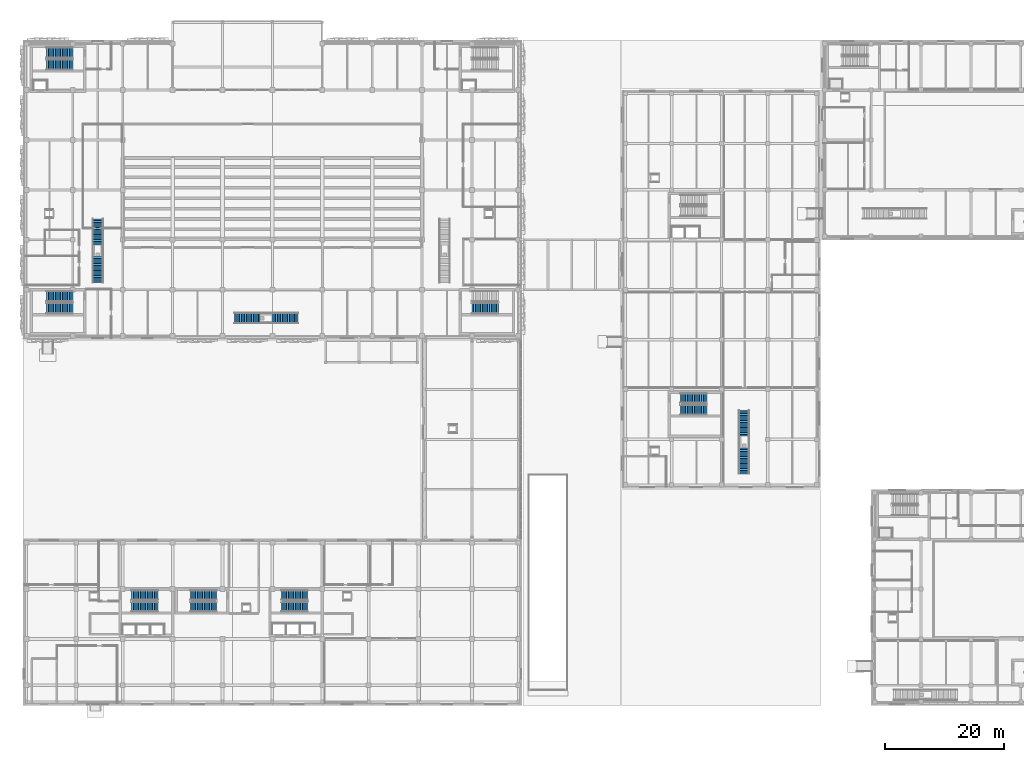
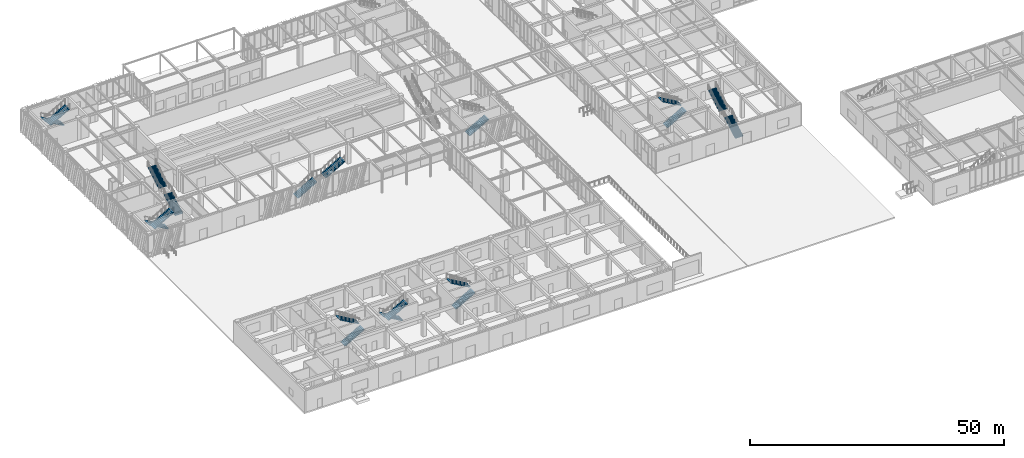
# One storey, part 104 of 122: 19 stair flights, 10 elements without a shape of their own.
"""IFC4 building model written with IfcOpenShell, lengths in metres."""

import ifcopenshell
import ifcopenshell.guid

model = None  # the IFC model being written
_history = None  # IfcOwnerHistory: only IFC2X3 demands one
_inside = {}  # id of a spatial element -> (the spatial element, [elements in it])
_under = {}  # id of a project, library or spatial element -> (it, [spatial elements below it])
_declared = {}  # id of a project -> (the project, [libraries it declares])
_typed = {}  # id of a type object -> (the type object, [elements of that type])
_made_of = {}  # id of a material, layer set ... -> (it, [elements and type objects made of it])


def new_model(schema):
    """Start an empty IFC model of exactly this schema.

    Asked for "IFC4X3", IfcOpenShell would pick the latest addendum, in which some entities
    have other attributes; the version numbers below select the first issue.
    IFC2X3 requires an IfcOwnerHistory on every rooted entity: one is made here for all.
    """
    global model, _history
    if schema == "IFC4X3":
        model = ifcopenshell.file(schema_version=(4, 3, 0, 0))
    else:
        model = ifcopenshell.file(schema=schema)
    _inside.clear()
    _under.clear()
    _declared.clear()
    _typed.clear()
    _made_of.clear()
    _history = None
    if model.schema == "IFC2X3":
        org = make("IfcOrganization", Name="unknown")
        user = make(
            "IfcPersonAndOrganization",
            ThePerson=make("IfcPerson", FamilyName="unknown"),
            TheOrganization=org,
        )
        app = make(
            "IfcApplication",
            ApplicationDeveloper=org,
            Version="unknown",
            ApplicationFullName="unknown",
            ApplicationIdentifier="unknown",
        )
        _history = make(
            "IfcOwnerHistory",
            OwningUser=user,
            OwningApplication=app,
            ChangeAction="ADDED",
            CreationDate=0,
        )
    return model


def make(cls, **values):
    """One entity of the class cls with the attributes given. An attribute that is None is left unset."""
    return model.create_entity(
        cls, **{name: value for name, value in values.items() if value is not None}
    )


def rooted(cls, **values):
    """An entity with a GlobalId (a new one), such as an element, a storey or a relation."""
    return make(cls, GlobalId=ifcopenshell.guid.new(), OwnerHistory=_history, **values)


def si_unit(unit_type, name, prefix=None):
    """IfcSIUnit, for example si_unit("LENGTHUNIT", "METRE", prefix="MILLI")."""
    return make("IfcSIUnit", UnitType=unit_type, Prefix=prefix, Name=name)


def assignment(units):
    """IfcUnitAssignment: the units of a project."""
    return None if units is None else make("IfcUnitAssignment", Units=units)


def point(xyz):
    """IfcCartesianPoint."""
    return None if xyz is None else make("IfcCartesianPoint", Coordinates=xyz)


def direction(xyz):
    """IfcDirection."""
    return None if xyz is None else make("IfcDirection", DirectionRatios=xyz)


def frame(location, z_axis=None, x_axis=None):
    """IfcAxis2Placement3D, a coordinate frame: its origin and axes. An axis left out is left unset."""
    return make(
        "IfcAxis2Placement3D",
        Location=point(location),
        Axis=direction(z_axis),
        RefDirection=direction(x_axis),
    )


def origin():
    """The frame at (0, 0, 0) with its axes left unset."""
    return frame((0.0, 0.0, 0.0))


def place(relative_to, where):
    """IfcLocalPlacement: puts the frame where relative to a parent placement (None: the world)."""
    return make(
        "IfcLocalPlacement", PlacementRelTo=relative_to, RelativePlacement=where
    )


def context(
    kind, dimensions, precision=None, world=None, true_north=None, identifier=None
):
    """IfcGeometricRepresentationContext, for example the 3D "Model" context."""
    return make(
        "IfcGeometricRepresentationContext",
        ContextIdentifier=identifier,
        ContextType=kind,
        CoordinateSpaceDimension=dimensions,
        Precision=precision,
        WorldCoordinateSystem=world,
        TrueNorth=true_north,
    )


def subcontext(parent, identifier, kind, view, scale=None):
    """IfcGeometricRepresentationSubContext, for example "Body" below "Model"."""
    return make(
        "IfcGeometricRepresentationSubContext",
        ContextIdentifier=identifier,
        ContextType=kind,
        ParentContext=parent,
        TargetScale=scale,
        TargetView=view,
    )


def project(units=None, contexts=None):
    """IfcProject with its units and contexts."""
    return rooted(
        "IfcProject",
        Name="project",
        RepresentationContexts=contexts,
        UnitsInContext=assignment(units),
    )


def spatial(cls, under=None, at=None, **own):
    """A site, building, storey or space (cls), placed at a placement, below another one or the project."""
    s = rooted(cls, ObjectPlacement=at, **own)
    if under is not None:
        _under.setdefault(under.id(), (under, []))[1].append(s)
    return s


def polyline(points):
    """IfcPolyline through the points."""
    return make("IfcPolyline", Points=[point(p) for p in points])


def outline(outer, holes=None, kind="AREA"):
    """IfcArbitraryClosedProfileDef: a profile drawn as a closed curve; with holes, ...WithVoids."""
    if holes is None:
        return make("IfcArbitraryClosedProfileDef", ProfileType=kind, OuterCurve=outer)
    return make(
        "IfcArbitraryProfileDefWithVoids",
        ProfileType=kind,
        OuterCurve=outer,
        InnerCurves=holes,
    )


def extrude(swept, where, along, depth):
    """IfcExtrudedAreaSolid: the profile swept, set in the frame where, extruded along a direction by depth."""
    return make(
        "IfcExtrudedAreaSolid",
        SweptArea=swept,
        Position=where,
        ExtrudedDirection=direction(along),
        Depth=depth,
    )


def shape(context_of_items, identifier, shape_type, items):
    """IfcShapeRepresentation: the items that make up one representation, for example the "Body"."""
    return make(
        "IfcShapeRepresentation",
        ContextOfItems=context_of_items,
        RepresentationIdentifier=identifier,
        RepresentationType=shape_type,
        Items=items,
    )


def material(Name=None, Category=None):
    """IfcMaterial."""
    return make("IfcMaterial", Name=Name, Category=Category)


def made_of(thing, what):
    """Note that an element or type object is made of a material, layer set ...; save() writes the relation."""
    if what is not None:
        _made_of.setdefault(what.id(), (what, []))[1].append(thing)
    return thing


def type_object(cls, material=None, **own):
    """A type object (cls), such as IfcWallType, which elements share."""
    return made_of(rooted(cls, **own), material)


def element(
    cls,
    number,
    at=None,
    inside=None,
    cuts=None,
    type_object=None,
    material=None,
    context=None,
    identifier="Body",
    shape_type=None,
    held_by="IfcProductDefinitionShape",
    body=None,
    shapes=None,
    **own,
):
    """One element of the class cls, such as IfcWall. Its Tag is "e" and its number.

    at: its placement. inside: the storey or other place that contains it. cuts: it is an
    opening in that element (IfcRelVoidsElement). A single representation is given by context,
    identifier, shape_type and body (its items); several are given by shapes. held_by: the class
    of the entity that holds the representations. save() writes the other relations.
    """
    e = rooted(cls, Tag="e%d" % number, ObjectPlacement=at, **own)
    if body is not None:
        shapes = [shape(context, identifier, shape_type, body)]
    if shapes is not None:
        e.Representation = make(held_by, Representations=shapes)
    if inside is not None:
        _inside.setdefault(inside.id(), (inside, []))[1].append(e)
    if cuts is not None:
        rooted(
            "IfcRelVoidsElement", RelatingBuildingElement=cuts, RelatedOpeningElement=e
        )
    if type_object is not None:
        _typed.setdefault(type_object.id(), (type_object, []))[1].append(e)
    return made_of(e, material)


def aggregate(whole, parts):
    """IfcRelAggregates: a whole, such as a stair, and the parts it consists of."""
    return rooted("IfcRelAggregates", RelatingObject=whole, RelatedObjects=parts)


def save(model, path):
    """Write the relations noted so far, then the file.

    IfcRelAggregates (storeys below a building ...), IfcRelContainedInSpatialStructure (elements
    in a storey), IfcRelDefinesByType, IfcRelAssociatesMaterial and IfcRelDeclares: one each for
    every whole, place, type object, material and project.
    """
    for whole, parts in _under.values():
        aggregate(whole, parts)
    for where, things in _inside.values():
        rooted(
            "IfcRelContainedInSpatialStructure",
            RelatedElements=things,
            RelatingStructure=where,
        )
    for kind, things in _typed.values():
        rooted("IfcRelDefinesByType", RelatedObjects=things, RelatingType=kind)
    for what, things in _made_of.values():
        rooted("IfcRelAssociatesMaterial", RelatedObjects=things, RelatingMaterial=what)
    for by, libraries in _declared.values():
        rooted("IfcRelDeclares", RelatingContext=by, RelatedDefinitions=libraries)
    model.write(path)


model = new_model("IFC4")

# Units and contexts
model_context = context("Model", 3, precision=1e-05, world=origin(), true_north=direction((0.0, 1.0)))
body_context = subcontext(model_context, "Body", "Model", "MODEL_VIEW")
ifc_project = project(units=[si_unit("LENGTHUNIT", "METRE"), si_unit("AREAUNIT", "SQUARE_METRE"), si_unit("VOLUMEUNIT", "CUBIC_METRE"), si_unit("PLANEANGLEUNIT", "RADIAN"), si_unit("MASSUNIT", "GRAM", prefix="KILO")], contexts=[model_context])

# Site, building, storey
site_placement = place(None, origin())
site = spatial("IfcSite", under=ifc_project, at=site_placement, CompositionType="ELEMENT")
building_placement = place(site_placement, origin())
building = spatial("IfcBuilding", under=site, at=building_placement, Name="Zayran Congress Hotel", CompositionType="ELEMENT")
storey_placement = place(building_placement, origin())
storey = spatial("IfcBuildingStorey", under=building, at=storey_placement, Name="L00", CompositionType="ELEMENT", Elevation=0.0)

# Stair, stair flights
ifc_material = material(Name="Concrete C32/40", Category="concrete")
stair_type_1 = type_object("IfcStairType", Name="TP-STR-1700-54", PredefinedType="USERDEFINED", material=ifc_material)
stair_1_placement = place(storey_placement, origin())
stair_1 = element("IfcStair", 1, at=stair_1_placement, inside=storey, type_object=stair_type_1, Name="L00 ST-01", ObjectType="TWO_RETURN_STAIR", PredefinedType="USERDEFINED")
stair_flight_type_1 = type_object("IfcStairFlightType", Name="TP-STF-1700-54", PredefinedType="STRAIGHT", material=ifc_material)
stair_flight_1_placement = place(storey_placement, frame((26.699951171875, 22.610107421875, 0.0), z_axis=(0.0, 0.0, 1.0), x_axis=(1.0, 0.0, 0.0)))
stair_flight_1 = element("IfcStairFlight", 2, at=stair_flight_1_placement, type_object=stair_flight_type_1, Name="ST-01 flight 1", NumberOfRisers=16, NumberOfTreads=15, PredefinedType="STRAIGHT", RiserHeight=0.16875, TreadLength=0.295, context=body_context, shape_type="SweptSolid", body=[
    extrude(outline(polyline([(0.0, 0.0), (0.0, 0.168701171875), (0.294921875, 0.168701171875), (0.294921875, 0.33740234375), (0.590087890625, 0.33740234375), (0.590087890625, 0.50634765625), (0.885009765625, 0.50634765625), (0.885009765625, 0.675048828125), (1.179931640625, 0.675048828125), (1.179931640625, 0.84375), (1.47509765625, 0.84375), (1.47509765625, 1.012451171875), (1.77001953125, 1.012451171875), (1.77001953125, 1.18115234375), (2.06494140625, 1.18115234375), (2.06494140625, 1.35009765625), (2.360107421875, 1.35009765625), (2.360107421875, 1.518798828125), (2.655029296875, 1.518798828125), (2.655029296875, 1.6875), (2.949951171875, 1.6875), (2.949951171875, 1.856201171875), (3.2451171875, 1.856201171875), (3.2451171875, 2.02490234375), (3.5400390625, 2.02490234375), (3.5400390625, 2.19384765625), (3.8349609375, 2.19384765625), (3.8349609375, 2.362548828125), (4.1298828125, 2.362548828125), (4.1298828125, 2.53125), (4.425048828125, 2.53125), (4.425048828125, 2.699951171875), (4.425048828125, 2.358642578125), (0.302001953125, 0.0), (0.0, 0.0)])), frame((0.0, 0.85009765625, 0.0), z_axis=(0.0, -1.0, 0.0), x_axis=(1.0, 0.0, 0.0)), (0.0, 0.0, 1.0), 1.699951171875),
])
stair_flight_2_placement = place(storey_placement, frame((31.125, 24.550048828125, 2.699951171875), z_axis=(0.0, 0.0, 1.0), x_axis=(-1.0, 0.0, 0.0)))
stair_flight_2 = element("IfcStairFlight", 3, at=stair_flight_2_placement, type_object=stair_flight_type_1, Name="ST-01 flight 2", NumberOfRisers=16, NumberOfTreads=15, PredefinedType="STRAIGHT", RiserHeight=0.16875, TreadLength=0.295, context=body_context, shape_type="SweptSolid", body=[
    extrude(outline(polyline([(0.0, 0.0), (0.0, 0.168701171875), (0.294921875, 0.168701171875), (0.294921875, 0.33740234375), (0.590087890625, 0.33740234375), (0.590087890625, 0.50634765625), (0.885009765625, 0.50634765625), (0.885009765625, 0.675048828125), (1.179931640625, 0.675048828125), (1.179931640625, 0.84375), (1.47509765625, 0.84375), (1.47509765625, 1.012451171875), (1.77001953125, 1.012451171875), (1.77001953125, 1.18115234375), (2.06494140625, 1.18115234375), (2.06494140625, 1.35009765625), (2.360107421875, 1.35009765625), (2.360107421875, 1.518798828125), (2.655029296875, 1.518798828125), (2.655029296875, 1.6875), (2.949951171875, 1.6875), (2.949951171875, 1.856201171875), (3.2451171875, 1.856201171875), (3.2451171875, 2.02490234375), (3.5400390625, 2.02490234375), (3.5400390625, 2.19384765625), (3.8349609375, 2.19384765625), (3.8349609375, 2.362548828125), (4.1298828125, 2.362548828125), (4.1298828125, 2.53125), (4.425048828125, 2.53125), (4.425048828125, 2.699951171875), (4.425048828125, 2.358642578125), (0.302001953125, 0.0), (0.0, 0.0)])), frame((0.0, 0.85009765625, 0.0), z_axis=(0.0, -1.0, 0.0), x_axis=(1.0, 0.0, 0.0)), (0.0, 0.0, 1.0), 1.699951171875),
])
aggregate(stair_1, [stair_flight_1, stair_flight_2])

stair_2_placement = place(storey_placement, origin())
stair_2 = element("IfcStair", 4, at=stair_2_placement, inside=storey, type_object=stair_type_1, Name="L00 ST-02", ObjectType="TWO_RETURN_STAIR", PredefinedType="USERDEFINED")
stair_flight_3_placement = place(storey_placement, frame((51.89990234375, 22.610107421875, 0.0), z_axis=(0.0, 0.0, 1.0), x_axis=(1.0, 0.0, 0.0)))
stair_flight_3 = element("IfcStairFlight", 5, at=stair_flight_3_placement, type_object=stair_flight_type_1, Name="ST-02 flight 1", NumberOfRisers=16, NumberOfTreads=15, PredefinedType="STRAIGHT", RiserHeight=0.16875, TreadLength=0.295, context=body_context, shape_type="SweptSolid", body=[
    extrude(outline(polyline([(0.0, 0.0), (0.0, 0.168701171875), (0.294921875, 0.168701171875), (0.294921875, 0.33740234375), (0.590087890625, 0.33740234375), (0.590087890625, 0.50634765625), (0.885009765625, 0.50634765625), (0.885009765625, 0.675048828125), (1.179931640625, 0.675048828125), (1.179931640625, 0.84375), (1.47509765625, 0.84375), (1.47509765625, 1.012451171875), (1.77001953125, 1.012451171875), (1.77001953125, 1.18115234375), (2.06494140625, 1.18115234375), (2.06494140625, 1.35009765625), (2.360107421875, 1.35009765625), (2.360107421875, 1.518798828125), (2.655029296875, 1.518798828125), (2.655029296875, 1.6875), (2.949951171875, 1.6875), (2.949951171875, 1.856201171875), (3.2451171875, 1.856201171875), (3.2451171875, 2.02490234375), (3.5400390625, 2.02490234375), (3.5400390625, 2.19384765625), (3.8349609375, 2.19384765625), (3.8349609375, 2.362548828125), (4.1298828125, 2.362548828125), (4.1298828125, 2.53125), (4.425048828125, 2.53125), (4.425048828125, 2.699951171875), (4.425048828125, 2.358642578125), (0.302001953125, 0.0), (0.0, 0.0)])), frame((0.0, 0.85009765625, 0.0), z_axis=(0.0, -1.0, 0.0), x_axis=(1.0, 0.0, 0.0)), (0.0, 0.0, 1.0), 1.699951171875),
])
stair_flight_4_placement = place(storey_placement, frame((56.324951171875, 24.550048828125, 2.699951171875), z_axis=(0.0, 0.0, 1.0), x_axis=(-1.0, 0.0, 0.0)))
stair_flight_4 = element("IfcStairFlight", 6, at=stair_flight_4_placement, type_object=stair_flight_type_1, Name="ST-02 flight 2", NumberOfRisers=16, NumberOfTreads=15, PredefinedType="STRAIGHT", RiserHeight=0.16875, TreadLength=0.295, context=body_context, shape_type="SweptSolid", body=[
    extrude(outline(polyline([(0.0, 0.0), (0.0, 0.168701171875), (0.294921875, 0.168701171875), (0.294921875, 0.33740234375), (0.590087890625, 0.33740234375), (0.590087890625, 0.50634765625), (0.885009765625, 0.50634765625), (0.885009765625, 0.675048828125), (1.179931640625, 0.675048828125), (1.179931640625, 0.84375), (1.47509765625, 0.84375), (1.47509765625, 1.012451171875), (1.77001953125, 1.012451171875), (1.77001953125, 1.18115234375), (2.06494140625, 1.18115234375), (2.06494140625, 1.35009765625), (2.360107421875, 1.35009765625), (2.360107421875, 1.518798828125), (2.655029296875, 1.518798828125), (2.655029296875, 1.6875), (2.949951171875, 1.6875), (2.949951171875, 1.856201171875), (3.2451171875, 1.856201171875), (3.2451171875, 2.02490234375), (3.5400390625, 2.02490234375), (3.5400390625, 2.19384765625), (3.8349609375, 2.19384765625), (3.8349609375, 2.362548828125), (4.1298828125, 2.362548828125), (4.1298828125, 2.53125), (4.425048828125, 2.53125), (4.425048828125, 2.699951171875), (4.425048828125, 2.358642578125), (0.302001953125, 0.0), (0.0, 0.0)])), frame((0.0, 0.85009765625, 0.0), z_axis=(0.0, -1.0, 0.0), x_axis=(1.0, 0.0, 0.0)), (0.0, 0.0, 1.0), 1.699951171875),
])
aggregate(stair_2, [stair_flight_3, stair_flight_4])

stair_3_placement = place(storey_placement, origin())
stair_3 = element("IfcStair", 7, at=stair_3_placement, inside=storey, type_object=stair_type_1, Name="L00 ST-13", ObjectType="TWO_RETURN_STAIR", PredefinedType="USERDEFINED")
stair_flight_5_placement = place(storey_placement, frame((41.0, 24.550048828125, 0.0), z_axis=(0.0, 0.0, 1.0), x_axis=(-1.0, 0.0, 0.0)))
stair_flight_5 = element("IfcStairFlight", 8, at=stair_flight_5_placement, type_object=stair_flight_type_1, Name="ST-13 flight 1", NumberOfRisers=16, NumberOfTreads=15, PredefinedType="STRAIGHT", RiserHeight=0.16875, TreadLength=0.295, context=body_context, shape_type="SweptSolid", body=[
    extrude(outline(polyline([(0.0, 0.0), (0.0, 0.168701171875), (0.294921875, 0.168701171875), (0.294921875, 0.33740234375), (0.590087890625, 0.33740234375), (0.590087890625, 0.50634765625), (0.885009765625, 0.50634765625), (0.885009765625, 0.675048828125), (1.179931640625, 0.675048828125), (1.179931640625, 0.84375), (1.47509765625, 0.84375), (1.47509765625, 1.012451171875), (1.77001953125, 1.012451171875), (1.77001953125, 1.18115234375), (2.06494140625, 1.18115234375), (2.06494140625, 1.35009765625), (2.360107421875, 1.35009765625), (2.360107421875, 1.518798828125), (2.655029296875, 1.518798828125), (2.655029296875, 1.6875), (2.949951171875, 1.6875), (2.949951171875, 1.856201171875), (3.2451171875, 1.856201171875), (3.2451171875, 2.02490234375), (3.5400390625, 2.02490234375), (3.5400390625, 2.19384765625), (3.8349609375, 2.19384765625), (3.8349609375, 2.362548828125), (4.1298828125, 2.362548828125), (4.1298828125, 2.53125), (4.425048828125, 2.53125), (4.425048828125, 2.699951171875), (4.425048828125, 2.358642578125), (0.302001953125, 0.0), (0.0, 0.0)])), frame((0.0, 0.85009765625, 0.0), z_axis=(0.0, -1.0, 0.0), x_axis=(1.0, 0.0, 0.0)), (0.0, 0.0, 1.0), 1.699951171875),
])
stair_flight_6_placement = place(storey_placement, frame((36.574951171875, 22.610107421875, 2.699951171875), z_axis=(0.0, 0.0, 1.0), x_axis=(1.0, 0.0, 0.0)))
stair_flight_6 = element("IfcStairFlight", 9, at=stair_flight_6_placement, type_object=stair_flight_type_1, Name="ST-13 flight 2", NumberOfRisers=16, NumberOfTreads=15, PredefinedType="STRAIGHT", RiserHeight=0.16875, TreadLength=0.295, context=body_context, shape_type="SweptSolid", body=[
    extrude(outline(polyline([(0.0, 0.0), (0.0, 0.168701171875), (0.294921875, 0.168701171875), (0.294921875, 0.33740234375), (0.590087890625, 0.33740234375), (0.590087890625, 0.50634765625), (0.885009765625, 0.50634765625), (0.885009765625, 0.675048828125), (1.179931640625, 0.675048828125), (1.179931640625, 0.84375), (1.47509765625, 0.84375), (1.47509765625, 1.012451171875), (1.77001953125, 1.012451171875), (1.77001953125, 1.18115234375), (2.06494140625, 1.18115234375), (2.06494140625, 1.35009765625), (2.360107421875, 1.35009765625), (2.360107421875, 1.518798828125), (2.655029296875, 1.518798828125), (2.655029296875, 1.6875), (2.949951171875, 1.6875), (2.949951171875, 1.856201171875), (3.2451171875, 1.856201171875), (3.2451171875, 2.02490234375), (3.5400390625, 2.02490234375), (3.5400390625, 2.19384765625), (3.8349609375, 2.19384765625), (3.8349609375, 2.362548828125), (4.1298828125, 2.362548828125), (4.1298828125, 2.53125), (4.425048828125, 2.53125), (4.425048828125, 2.699951171875), (4.425048828125, 2.358642578125), (0.302001953125, 0.0), (0.0, 0.0)])), frame((0.0, 0.85009765625, 0.0), z_axis=(0.0, -1.0, 0.0), x_axis=(1.0, 0.0, 0.0)), (0.0, 0.0, 1.0), 1.699951171875),
])
aggregate(stair_3, [stair_flight_5, stair_flight_6])

stair_4_placement = place(storey_placement, origin())
stair_4 = element("IfcStair", 10, at=stair_4_placement, inside=storey, type_object=stair_type_1, Name="L00 ST-08", ObjectType="TWO_RETURN_STAIR", PredefinedType="USERDEFINED")
stair_flight_7_placement = place(storey_placement, frame((119.10009765625, 55.760009765625, 0.0), z_axis=(0.0, 0.0, 1.0), x_axis=(1.0, 0.0, 0.0)))
stair_flight_7 = element("IfcStairFlight", 11, at=stair_flight_7_placement, type_object=stair_flight_type_1, Name="ST-08 flight 1", NumberOfRisers=16, NumberOfTreads=15, PredefinedType="STRAIGHT", RiserHeight=0.16875, TreadLength=0.295, context=body_context, shape_type="SweptSolid", body=[
    extrude(outline(polyline([(0.0, 0.0), (0.0, 0.168701171875), (0.294921875, 0.168701171875), (0.294921875, 0.33740234375), (0.590087890625, 0.33740234375), (0.590087890625, 0.50634765625), (0.885009765625, 0.50634765625), (0.885009765625, 0.675048828125), (1.179931640625, 0.675048828125), (1.179931640625, 0.84375), (1.47509765625, 0.84375), (1.47509765625, 1.012451171875), (1.77001953125, 1.012451171875), (1.77001953125, 1.18115234375), (2.06494140625, 1.18115234375), (2.06494140625, 1.35009765625), (2.360107421875, 1.35009765625), (2.360107421875, 1.518798828125), (2.655029296875, 1.518798828125), (2.655029296875, 1.6875), (2.949951171875, 1.6875), (2.949951171875, 1.856201171875), (3.2451171875, 1.856201171875), (3.2451171875, 2.02490234375), (3.5400390625, 2.02490234375), (3.5400390625, 2.19384765625), (3.8349609375, 2.19384765625), (3.8349609375, 2.362548828125), (4.1298828125, 2.362548828125), (4.1298828125, 2.53125), (4.425048828125, 2.53125), (4.425048828125, 2.699951171875), (4.425048828125, 2.358642578125), (0.302001953125, 0.0), (0.0, 0.0)])), frame((0.0, 0.85009765625, 0.0), z_axis=(0.0, -1.0, 0.0), x_axis=(1.0, 0.0, 0.0)), (0.0, 0.0, 1.0), 1.699951171875),
])
stair_flight_8_placement = place(storey_placement, frame((123.52490234375, 57.699951171875, 2.699951171875), z_axis=(0.0, 0.0, 1.0), x_axis=(-1.0, 0.0, 0.0)))
stair_flight_8 = element("IfcStairFlight", 12, at=stair_flight_8_placement, type_object=stair_flight_type_1, Name="ST-08 flight 2", NumberOfRisers=16, NumberOfTreads=15, PredefinedType="STRAIGHT", RiserHeight=0.16875, TreadLength=0.295, context=body_context, shape_type="SweptSolid", body=[
    extrude(outline(polyline([(0.0, 0.0), (0.0, 0.168701171875), (0.294921875, 0.168701171875), (0.294921875, 0.33740234375), (0.590087890625, 0.33740234375), (0.590087890625, 0.50634765625), (0.885009765625, 0.50634765625), (0.885009765625, 0.675048828125), (1.179931640625, 0.675048828125), (1.179931640625, 0.84375), (1.47509765625, 0.84375), (1.47509765625, 1.012451171875), (1.77001953125, 1.012451171875), (1.77001953125, 1.18115234375), (2.06494140625, 1.18115234375), (2.06494140625, 1.35009765625), (2.360107421875, 1.35009765625), (2.360107421875, 1.518798828125), (2.655029296875, 1.518798828125), (2.655029296875, 1.6875), (2.949951171875, 1.6875), (2.949951171875, 1.856201171875), (3.2451171875, 1.856201171875), (3.2451171875, 2.02490234375), (3.5400390625, 2.02490234375), (3.5400390625, 2.19384765625), (3.8349609375, 2.19384765625), (3.8349609375, 2.362548828125), (4.1298828125, 2.362548828125), (4.1298828125, 2.53125), (4.425048828125, 2.53125), (4.425048828125, 2.699951171875), (4.425048828125, 2.358642578125), (0.302001953125, 0.0), (0.0, 0.0)])), frame((0.0, 0.85009765625, 0.0), z_axis=(0.0, -1.0, 0.0), x_axis=(1.0, 0.0, 0.0)), (0.0, 0.0, 1.0), 1.699951171875),
])
aggregate(stair_4, [stair_flight_7, stair_flight_8])

stair_type_2 = type_object("IfcStairType", Name="TP-STR-1800-54", PredefinedType="USERDEFINED", material=ifc_material)
stair_5_placement = place(storey_placement, origin())
stair_5 = element("IfcStair", 13, at=stair_5_placement, inside=storey, type_object=stair_type_2, Name="L00 ST-03", ObjectType="TWO_RETURN_STAIR", PredefinedType="USERDEFINED")
stair_flight_type_2 = type_object("IfcStairFlightType", Name="TP-STF-1800-54", PredefinedType="STRAIGHT", material=ifc_material)
stair_flight_9_placement = place(storey_placement, frame((16.800048828125, 115.89990234375, 0.0), z_axis=(0.0, 0.0, 1.0), x_axis=(-1.0, 0.0, 0.0)))
stair_flight_9 = element("IfcStairFlight", 14, at=stair_flight_9_placement, type_object=stair_flight_type_2, Name="ST-03 flight 1", NumberOfRisers=16, NumberOfTreads=15, PredefinedType="STRAIGHT", RiserHeight=0.16875, TreadLength=0.295, context=body_context, shape_type="SweptSolid", body=[
    extrude(outline(polyline([(0.0, 0.0), (0.0, 0.168701171875), (0.294921875, 0.168701171875), (0.294921875, 0.33740234375), (0.590087890625, 0.33740234375), (0.590087890625, 0.50634765625), (0.885009765625, 0.50634765625), (0.885009765625, 0.675048828125), (1.179931640625, 0.675048828125), (1.179931640625, 0.84375), (1.47509765625, 0.84375), (1.47509765625, 1.012451171875), (1.77001953125, 1.012451171875), (1.77001953125, 1.18115234375), (2.06494140625, 1.18115234375), (2.06494140625, 1.35009765625), (2.360107421875, 1.35009765625), (2.360107421875, 1.518798828125), (2.655029296875, 1.518798828125), (2.655029296875, 1.6875), (2.949951171875, 1.6875), (2.949951171875, 1.856201171875), (3.2451171875, 1.856201171875), (3.2451171875, 2.02490234375), (3.5400390625, 2.02490234375), (3.5400390625, 2.19384765625), (3.8349609375, 2.19384765625), (3.8349609375, 2.362548828125), (4.1298828125, 2.362548828125), (4.1298828125, 2.53125), (4.425048828125, 2.53125), (4.425048828125, 2.699951171875), (4.425048828125, 2.358642578125), (0.302001953125, 0.0), (0.0, 0.0)])), frame((0.0, 0.89990234375, 0.0), z_axis=(0.0, -1.0, 0.0), x_axis=(1.0, 0.0, 0.0)), (0.0, 0.0, 1.0), 1.800048828125),
])
stair_flight_10_placement = place(storey_placement, frame((12.375, 113.860107421875, 2.699951171875), z_axis=(0.0, 0.0, 1.0), x_axis=(1.0, 0.0, 0.0)))
stair_flight_10 = element("IfcStairFlight", 15, at=stair_flight_10_placement, type_object=stair_flight_type_2, Name="ST-03 flight 2", NumberOfRisers=16, NumberOfTreads=15, PredefinedType="STRAIGHT", RiserHeight=0.16875, TreadLength=0.295, context=body_context, shape_type="SweptSolid", body=[
    extrude(outline(polyline([(0.0, 0.0), (0.0, 0.168701171875), (0.294921875, 0.168701171875), (0.294921875, 0.33740234375), (0.590087890625, 0.33740234375), (0.590087890625, 0.50634765625), (0.885009765625, 0.50634765625), (0.885009765625, 0.675048828125), (1.179931640625, 0.675048828125), (1.179931640625, 0.84375), (1.47509765625, 0.84375), (1.47509765625, 1.012451171875), (1.77001953125, 1.012451171875), (1.77001953125, 1.18115234375), (2.06494140625, 1.18115234375), (2.06494140625, 1.35009765625), (2.360107421875, 1.35009765625), (2.360107421875, 1.518798828125), (2.655029296875, 1.518798828125), (2.655029296875, 1.6875), (2.949951171875, 1.6875), (2.949951171875, 1.856201171875), (3.2451171875, 1.856201171875), (3.2451171875, 2.02490234375), (3.5400390625, 2.02490234375), (3.5400390625, 2.19384765625), (3.8349609375, 2.19384765625), (3.8349609375, 2.362548828125), (4.1298828125, 2.362548828125), (4.1298828125, 2.53125), (4.425048828125, 2.53125), (4.425048828125, 2.699951171875), (4.425048828125, 2.358642578125), (0.302001953125, 0.0), (0.0, 0.0)])), frame((0.0, 0.89990234375, 0.0), z_axis=(0.0, -1.0, 0.0), x_axis=(1.0, 0.0, 0.0)), (0.0, 0.0, 1.0), 1.800048828125),
])
aggregate(stair_5, [stair_flight_9, stair_flight_10])

stair_6_placement = place(storey_placement, origin())
stair_6 = element("IfcStair", 16, at=stair_6_placement, inside=storey, type_object=stair_type_2, Name="L00 ST-05", ObjectType="TWO_RETURN_STAIR", PredefinedType="USERDEFINED")
stair_flight_11_placement = place(storey_placement, frame((16.800048828125, 74.89990234375, 0.0), z_axis=(0.0, 0.0, 1.0), x_axis=(-1.0, 0.0, 0.0)))
stair_flight_11 = element("IfcStairFlight", 17, at=stair_flight_11_placement, type_object=stair_flight_type_2, Name="ST-05 flight 1", NumberOfRisers=16, NumberOfTreads=15, PredefinedType="STRAIGHT", RiserHeight=0.16875, TreadLength=0.295, context=body_context, shape_type="SweptSolid", body=[
    extrude(outline(polyline([(0.0, 0.0), (0.0, 0.168701171875), (0.294921875, 0.168701171875), (0.294921875, 0.33740234375), (0.590087890625, 0.33740234375), (0.590087890625, 0.50634765625), (0.885009765625, 0.50634765625), (0.885009765625, 0.675048828125), (1.179931640625, 0.675048828125), (1.179931640625, 0.84375), (1.47509765625, 0.84375), (1.47509765625, 1.012451171875), (1.77001953125, 1.012451171875), (1.77001953125, 1.18115234375), (2.06494140625, 1.18115234375), (2.06494140625, 1.35009765625), (2.360107421875, 1.35009765625), (2.360107421875, 1.518798828125), (2.655029296875, 1.518798828125), (2.655029296875, 1.6875), (2.949951171875, 1.6875), (2.949951171875, 1.856201171875), (3.2451171875, 1.856201171875), (3.2451171875, 2.02490234375), (3.5400390625, 2.02490234375), (3.5400390625, 2.19384765625), (3.8349609375, 2.19384765625), (3.8349609375, 2.362548828125), (4.1298828125, 2.362548828125), (4.1298828125, 2.53125), (4.425048828125, 2.53125), (4.425048828125, 2.699951171875), (4.425048828125, 2.358642578125), (0.302001953125, 0.0), (0.0, 0.0)])), frame((0.0, 0.89990234375, 0.0), z_axis=(0.0, -1.0, 0.0), x_axis=(1.0, 0.0, 0.0)), (0.0, 0.0, 1.0), 1.800048828125),
])
stair_flight_12_placement = place(storey_placement, frame((12.375, 72.860107421875, 2.699951171875), z_axis=(0.0, 0.0, 1.0), x_axis=(1.0, 0.0, 0.0)))
stair_flight_12 = element("IfcStairFlight", 18, at=stair_flight_12_placement, type_object=stair_flight_type_2, Name="ST-05 flight 2", NumberOfRisers=16, NumberOfTreads=15, PredefinedType="STRAIGHT", RiserHeight=0.16875, TreadLength=0.295, context=body_context, shape_type="SweptSolid", body=[
    extrude(outline(polyline([(0.0, 0.0), (0.0, 0.168701171875), (0.294921875, 0.168701171875), (0.294921875, 0.33740234375), (0.590087890625, 0.33740234375), (0.590087890625, 0.50634765625), (0.885009765625, 0.50634765625), (0.885009765625, 0.675048828125), (1.179931640625, 0.675048828125), (1.179931640625, 0.84375), (1.47509765625, 0.84375), (1.47509765625, 1.012451171875), (1.77001953125, 1.012451171875), (1.77001953125, 1.18115234375), (2.06494140625, 1.18115234375), (2.06494140625, 1.35009765625), (2.360107421875, 1.35009765625), (2.360107421875, 1.518798828125), (2.655029296875, 1.518798828125), (2.655029296875, 1.6875), (2.949951171875, 1.6875), (2.949951171875, 1.856201171875), (3.2451171875, 1.856201171875), (3.2451171875, 2.02490234375), (3.5400390625, 2.02490234375), (3.5400390625, 2.19384765625), (3.8349609375, 2.19384765625), (3.8349609375, 2.362548828125), (4.1298828125, 2.362548828125), (4.1298828125, 2.53125), (4.425048828125, 2.53125), (4.425048828125, 2.699951171875), (4.425048828125, 2.358642578125), (0.302001953125, 0.0), (0.0, 0.0)])), frame((0.0, 0.89990234375, 0.0), z_axis=(0.0, -1.0, 0.0), x_axis=(1.0, 0.0, 0.0)), (0.0, 0.0, 1.0), 1.800048828125),
])
aggregate(stair_6, [stair_flight_11, stair_flight_12])

# Stair, stair flight
stair_7_placement = place(storey_placement, origin())
stair_7 = element("IfcStair", 19, at=stair_7_placement, inside=storey, type_object=stair_type_2, Name="L00 ST-06", ObjectType="TWO_RETURN_STAIR", PredefinedType="USERDEFINED")
stair_flight_13_placement = place(storey_placement, frame((84.0, 72.860107421875, 0.0), z_axis=(0.0, 0.0, 1.0), x_axis=(1.0, 0.0, 0.0)))
stair_flight_13 = element("IfcStairFlight", 20, at=stair_flight_13_placement, type_object=stair_flight_type_2, Name="ST-06 flight 1", NumberOfRisers=16, NumberOfTreads=15, PredefinedType="STRAIGHT", RiserHeight=0.16875, TreadLength=0.295, context=body_context, shape_type="SweptSolid", body=[
    extrude(outline(polyline([(0.0, 0.0), (0.0, 0.168701171875), (0.294921875, 0.168701171875), (0.294921875, 0.33740234375), (0.590087890625, 0.33740234375), (0.590087890625, 0.50634765625), (0.885009765625, 0.50634765625), (0.885009765625, 0.675048828125), (1.179931640625, 0.675048828125), (1.179931640625, 0.84375), (1.47509765625, 0.84375), (1.47509765625, 1.012451171875), (1.77001953125, 1.012451171875), (1.77001953125, 1.18115234375), (2.06494140625, 1.18115234375), (2.06494140625, 1.35009765625), (2.360107421875, 1.35009765625), (2.360107421875, 1.518798828125), (2.655029296875, 1.518798828125), (2.655029296875, 1.6875), (2.949951171875, 1.6875), (2.949951171875, 1.856201171875), (3.2451171875, 1.856201171875), (3.2451171875, 2.02490234375), (3.5400390625, 2.02490234375), (3.5400390625, 2.19384765625), (3.8349609375, 2.19384765625), (3.8349609375, 2.362548828125), (4.1298828125, 2.362548828125), (4.1298828125, 2.53125), (4.425048828125, 2.53125), (4.425048828125, 2.699951171875), (4.425048828125, 2.358642578125), (0.302001953125, 0.0), (0.0, 0.0)])), frame((0.0, 0.89990234375, 0.0), z_axis=(0.0, -1.0, 0.0), x_axis=(1.0, 0.0, 0.0)), (0.0, 0.0, 1.0), 1.800048828125),
])
aggregate(stair_7, [stair_flight_13])

# Stair, stair flights
stair_type_3 = type_object("IfcStairType", Name="TP-STR-VOM", PredefinedType="STRAIGHT_RUN_STAIR", material=ifc_material)
stair_8_placement = place(storey_placement, origin())
stair_8 = element("IfcStair", 21, at=stair_8_placement, inside=storey, type_object=stair_type_3, Name="Straight Run Concourse Stair ST-VOM-01", PredefinedType="STRAIGHT_RUN_STAIR")
stair_flight_type_3 = type_object("IfcStairFlightType", Name="TP-STF-VOM", PredefinedType="STRAIGHT", material=ifc_material)
stair_flight_14_placement = place(storey_placement, frame((21.0, 77.199951171875, 0.0), z_axis=(0.0, 0.0, 1.0), x_axis=(0.0, 1.0, 0.0)))
stair_flight_14 = element("IfcStairFlight", 22, at=stair_flight_14_placement, type_object=stair_flight_type_3, Name="ST-VOM-01 flight 1", NumberOfRisers=16, NumberOfTreads=15, PredefinedType="STRAIGHT", RiserHeight=0.16875, TreadLength=0.29, context=body_context, shape_type="SweptSolid", body=[
    extrude(outline(polyline([(0.0, 0.0), (0.0, 0.168701171875), (0.2900390625, 0.168701171875), (0.2900390625, 0.33740234375), (0.580078125, 0.33740234375), (0.580078125, 0.50634765625), (0.8701171875, 0.50634765625), (0.8701171875, 0.675048828125), (1.159912109375, 0.675048828125), (1.159912109375, 0.84375), (1.449951171875, 0.84375), (1.449951171875, 1.012451171875), (1.739990234375, 1.012451171875), (1.739990234375, 1.18115234375), (2.030029296875, 1.18115234375), (2.030029296875, 1.35009765625), (2.320068359375, 1.35009765625), (2.320068359375, 1.518798828125), (2.610107421875, 1.518798828125), (2.610107421875, 1.6875), (2.89990234375, 1.6875), (2.89990234375, 1.856201171875), (3.18994140625, 1.856201171875), (3.18994140625, 2.02490234375), (3.47998046875, 2.02490234375), (3.47998046875, 2.19384765625), (3.77001953125, 2.19384765625), (3.77001953125, 2.362548828125), (4.06005859375, 2.362548828125), (4.06005859375, 2.53125), (4.35009765625, 2.53125), (4.35009765625, 2.699951171875), (4.35009765625, 2.322998046875), (0.357666015625, 0.0), (0.0, 0.0)])), frame((0.0, 0.89990234375, 0.0), z_axis=(0.0, -1.0, 0.0), x_axis=(1.0, 0.0, 0.0)), (0.0, 0.0, 1.0), 1.800048828125),
])
stair_flight_15_placement = place(storey_placement, frame((21.0, 83.550048828125, 2.699951171875), z_axis=(0.0, 0.0, 1.0), x_axis=(0.0, 1.0, 0.0)))
stair_flight_15 = element("IfcStairFlight", 23, at=stair_flight_15_placement, type_object=stair_flight_type_3, Name="ST-VOM-01 flight 2", NumberOfRisers=16, NumberOfTreads=15, PredefinedType="STRAIGHT", RiserHeight=0.16875, TreadLength=0.29, context=body_context, shape_type="SweptSolid", body=[
    extrude(outline(polyline([(0.0, 0.0), (0.0, 0.168701171875), (0.2900390625, 0.168701171875), (0.2900390625, 0.33740234375), (0.580078125, 0.33740234375), (0.580078125, 0.50634765625), (0.8701171875, 0.50634765625), (0.8701171875, 0.675048828125), (1.159912109375, 0.675048828125), (1.159912109375, 0.84375), (1.449951171875, 0.84375), (1.449951171875, 1.012451171875), (1.739990234375, 1.012451171875), (1.739990234375, 1.18115234375), (2.030029296875, 1.18115234375), (2.030029296875, 1.35009765625), (2.320068359375, 1.35009765625), (2.320068359375, 1.518798828125), (2.610107421875, 1.518798828125), (2.610107421875, 1.6875), (2.89990234375, 1.6875), (2.89990234375, 1.856201171875), (3.18994140625, 1.856201171875), (3.18994140625, 2.02490234375), (3.47998046875, 2.02490234375), (3.47998046875, 2.19384765625), (3.77001953125, 2.19384765625), (3.77001953125, 2.362548828125), (4.06005859375, 2.362548828125), (4.06005859375, 2.53125), (4.35009765625, 2.53125), (4.35009765625, 2.699951171875), (4.35009765625, 2.322998046875), (0.357666015625, 0.0), (0.0, 0.0)])), frame((0.0, 0.89990234375, 0.0), z_axis=(0.0, -1.0, 0.0), x_axis=(1.0, 0.0, 0.0)), (0.0, 0.0, 1.0), 1.800048828125),
])
aggregate(stair_8, [stair_flight_14, stair_flight_15])

stair_9_placement = place(storey_placement, origin())
stair_9 = element("IfcStair", 24, at=stair_9_placement, inside=storey, type_object=stair_type_3, Name="Straight Run Concourse Stair ST-FOY-03", PredefinedType="STRAIGHT_RUN_STAIR")
stair_flight_16_placement = place(storey_placement, frame((44.0, 71.199951171875, 0.0), z_axis=(0.0, 0.0, 1.0), x_axis=(1.0, 0.0, 0.0)))
stair_flight_16 = element("IfcStairFlight", 25, at=stair_flight_16_placement, type_object=stair_flight_type_3, Name="ST-FOY-03 flight 1", NumberOfRisers=16, NumberOfTreads=15, PredefinedType="STRAIGHT", RiserHeight=0.16875, TreadLength=0.29, context=body_context, shape_type="SweptSolid", body=[
    extrude(outline(polyline([(0.0, 0.0), (0.0, 0.168701171875), (0.2900390625, 0.168701171875), (0.2900390625, 0.33740234375), (0.580078125, 0.33740234375), (0.580078125, 0.50634765625), (0.8701171875, 0.50634765625), (0.8701171875, 0.675048828125), (1.159912109375, 0.675048828125), (1.159912109375, 0.84375), (1.449951171875, 0.84375), (1.449951171875, 1.012451171875), (1.739990234375, 1.012451171875), (1.739990234375, 1.18115234375), (2.030029296875, 1.18115234375), (2.030029296875, 1.35009765625), (2.320068359375, 1.35009765625), (2.320068359375, 1.518798828125), (2.610107421875, 1.518798828125), (2.610107421875, 1.6875), (2.89990234375, 1.6875), (2.89990234375, 1.856201171875), (3.18994140625, 1.856201171875), (3.18994140625, 2.02490234375), (3.47998046875, 2.02490234375), (3.47998046875, 2.19384765625), (3.77001953125, 2.19384765625), (3.77001953125, 2.362548828125), (4.06005859375, 2.362548828125), (4.06005859375, 2.53125), (4.35009765625, 2.53125), (4.35009765625, 2.699951171875), (4.35009765625, 2.322998046875), (0.357666015625, 0.0), (0.0, 0.0)])), frame((0.0, 0.89990234375, 0.0), z_axis=(0.0, -1.0, 0.0), x_axis=(1.0, 0.0, 0.0)), (0.0, 0.0, 1.0), 1.800048828125),
])
stair_flight_17_placement = place(storey_placement, frame((50.35009765625, 71.199951171875, 2.699951171875), z_axis=(0.0, 0.0, 1.0), x_axis=(1.0, 0.0, 0.0)))
stair_flight_17 = element("IfcStairFlight", 26, at=stair_flight_17_placement, type_object=stair_flight_type_3, Name="ST-FOY-03 flight 2", NumberOfRisers=16, NumberOfTreads=15, PredefinedType="STRAIGHT", RiserHeight=0.16875, TreadLength=0.29, context=body_context, shape_type="SweptSolid", body=[
    extrude(outline(polyline([(0.0, 0.0), (0.0, 0.168701171875), (0.2900390625, 0.168701171875), (0.2900390625, 0.33740234375), (0.580078125, 0.33740234375), (0.580078125, 0.50634765625), (0.8701171875, 0.50634765625), (0.8701171875, 0.675048828125), (1.159912109375, 0.675048828125), (1.159912109375, 0.84375), (1.449951171875, 0.84375), (1.449951171875, 1.012451171875), (1.739990234375, 1.012451171875), (1.739990234375, 1.18115234375), (2.030029296875, 1.18115234375), (2.030029296875, 1.35009765625), (2.320068359375, 1.35009765625), (2.320068359375, 1.518798828125), (2.610107421875, 1.518798828125), (2.610107421875, 1.6875), (2.89990234375, 1.6875), (2.89990234375, 1.856201171875), (3.18994140625, 1.856201171875), (3.18994140625, 2.02490234375), (3.47998046875, 2.02490234375), (3.47998046875, 2.19384765625), (3.77001953125, 2.19384765625), (3.77001953125, 2.362548828125), (4.06005859375, 2.362548828125), (4.06005859375, 2.53125), (4.35009765625, 2.53125), (4.35009765625, 2.699951171875), (4.35009765625, 2.322998046875), (0.357666015625, 0.0), (0.0, 0.0)])), frame((0.0, 0.89990234375, 0.0), z_axis=(0.0, -1.0, 0.0), x_axis=(1.0, 0.0, 0.0)), (0.0, 0.0, 1.0), 1.800048828125),
])
aggregate(stair_9, [stair_flight_16, stair_flight_17])

stair_10_placement = place(storey_placement, origin())
stair_10 = element("IfcStair", 27, at=stair_10_placement, inside=storey, type_object=stair_type_3, Name="Straight Run Concourse Stair ST-BRK-06", PredefinedType="STRAIGHT_RUN_STAIR")
stair_flight_18_placement = place(storey_placement, frame((129.800048828125, 45.0, 0.0), z_axis=(0.0, 0.0, 1.0), x_axis=(0.0, 1.0, 0.0)))
stair_flight_18 = element("IfcStairFlight", 28, at=stair_flight_18_placement, type_object=stair_flight_type_3, Name="ST-BRK-06 flight 1", NumberOfRisers=16, NumberOfTreads=15, PredefinedType="STRAIGHT", RiserHeight=0.16875, TreadLength=0.29, context=body_context, shape_type="SweptSolid", body=[
    extrude(outline(polyline([(0.0, 0.0), (0.0, 0.168701171875), (0.2900390625, 0.168701171875), (0.2900390625, 0.33740234375), (0.580078125, 0.33740234375), (0.580078125, 0.50634765625), (0.8701171875, 0.50634765625), (0.8701171875, 0.675048828125), (1.159912109375, 0.675048828125), (1.159912109375, 0.84375), (1.449951171875, 0.84375), (1.449951171875, 1.012451171875), (1.739990234375, 1.012451171875), (1.739990234375, 1.18115234375), (2.030029296875, 1.18115234375), (2.030029296875, 1.35009765625), (2.320068359375, 1.35009765625), (2.320068359375, 1.518798828125), (2.610107421875, 1.518798828125), (2.610107421875, 1.6875), (2.89990234375, 1.6875), (2.89990234375, 1.856201171875), (3.18994140625, 1.856201171875), (3.18994140625, 2.02490234375), (3.47998046875, 2.02490234375), (3.47998046875, 2.19384765625), (3.77001953125, 2.19384765625), (3.77001953125, 2.362548828125), (4.06005859375, 2.362548828125), (4.06005859375, 2.53125), (4.35009765625, 2.53125), (4.35009765625, 2.699951171875), (4.35009765625, 2.322998046875), (0.357666015625, 0.0), (0.0, 0.0)])), frame((0.0, 0.89990234375, 0.0), z_axis=(0.0, -1.0, 0.0), x_axis=(1.0, 0.0, 0.0)), (0.0, 0.0, 1.0), 1.800048828125),
])
stair_flight_19_placement = place(storey_placement, frame((129.800048828125, 51.35009765625, 2.699951171875), z_axis=(0.0, 0.0, 1.0), x_axis=(0.0, 1.0, 0.0)))
stair_flight_19 = element("IfcStairFlight", 29, at=stair_flight_19_placement, type_object=stair_flight_type_3, Name="ST-BRK-06 flight 2", NumberOfRisers=16, NumberOfTreads=15, PredefinedType="STRAIGHT", RiserHeight=0.16875, TreadLength=0.29, context=body_context, shape_type="SweptSolid", body=[
    extrude(outline(polyline([(0.0, 0.0), (0.0, 0.168701171875), (0.2900390625, 0.168701171875), (0.2900390625, 0.33740234375), (0.580078125, 0.33740234375), (0.580078125, 0.50634765625), (0.8701171875, 0.50634765625), (0.8701171875, 0.675048828125), (1.159912109375, 0.675048828125), (1.159912109375, 0.84375), (1.449951171875, 0.84375), (1.449951171875, 1.012451171875), (1.739990234375, 1.012451171875), (1.739990234375, 1.18115234375), (2.030029296875, 1.18115234375), (2.030029296875, 1.35009765625), (2.320068359375, 1.35009765625), (2.320068359375, 1.518798828125), (2.610107421875, 1.518798828125), (2.610107421875, 1.6875), (2.89990234375, 1.6875), (2.89990234375, 1.856201171875), (3.18994140625, 1.856201171875), (3.18994140625, 2.02490234375), (3.47998046875, 2.02490234375), (3.47998046875, 2.19384765625), (3.77001953125, 2.19384765625), (3.77001953125, 2.362548828125), (4.06005859375, 2.362548828125), (4.06005859375, 2.53125), (4.35009765625, 2.53125), (4.35009765625, 2.699951171875), (4.35009765625, 2.322998046875), (0.357666015625, 0.0), (0.0, 0.0)])), frame((0.0, 0.89990234375, 0.0), z_axis=(0.0, -1.0, 0.0), x_axis=(1.0, 0.0, 0.0)), (0.0, 0.0, 1.0), 1.800048828125),
])
aggregate(stair_10, [stair_flight_18, stair_flight_19])

save(model, "model.ifc")
